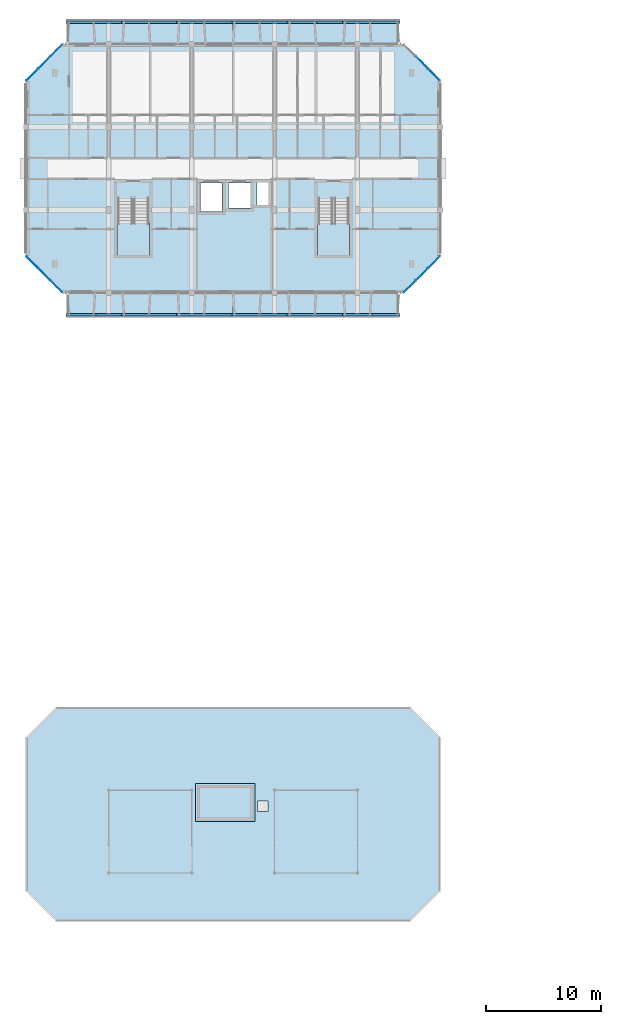
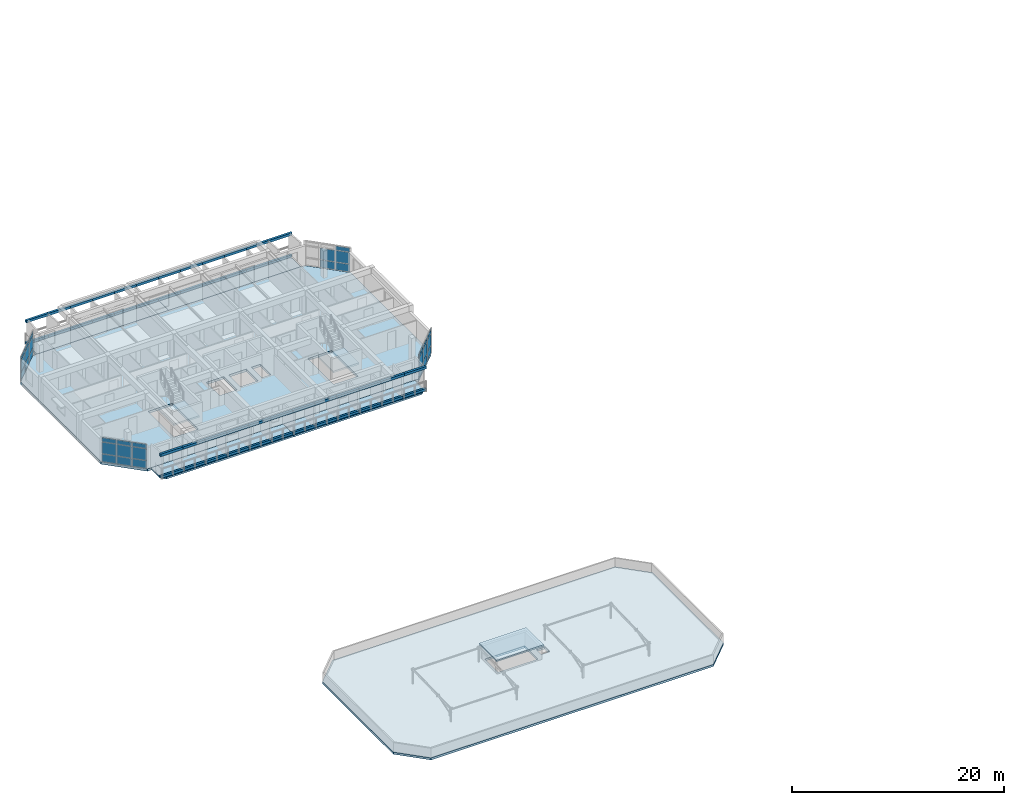
# One storey, part 14 of 43: 80 plates, 9 slabs, 6 elements without a shape of their own.
"""IFC4 building model written with IfcOpenShell, lengths in metres."""

from ifc_helpers import new_model, si_unit, direction, frame, origin, origin_2d, place, context, subcontext, project, spatial, polyline, rectangle, outline, extrude, material, layer, layer_set, type_object, element, aggregate, save


model = new_model("IFC4")

# Units and contexts
model_context = context("Model", 3, precision=1e-05, world=origin(), true_north=direction((0.0, 1.0)))
body_context = subcontext(model_context, "Body", "Model", "MODEL_VIEW")
ifc_project = project(units=[si_unit("LENGTHUNIT", "METRE"), si_unit("AREAUNIT", "SQUARE_METRE"), si_unit("VOLUMEUNIT", "CUBIC_METRE"), si_unit("PLANEANGLEUNIT", "RADIAN"), si_unit("MASSUNIT", "GRAM", prefix="KILO")], contexts=[model_context])

# Site, building, storey
site_placement = place(None, origin())
site = spatial("IfcSite", under=ifc_project, at=site_placement, CompositionType="ELEMENT")
building_placement = place(site_placement, origin())
building = spatial("IfcBuilding", under=site, at=building_placement, Name="Ochrevale Crest", CompositionType="ELEMENT")
storey_placement = place(building_placement, frame((0.0, 0.0, 30.75)))
storey = spatial("IfcBuildingStorey", under=building, at=storey_placement, Name="L09", CompositionType="ELEMENT", Elevation=30.75)

# Curtain wall, plates
ifc_material_1 = material(Name="Anodised aluminium 6063-T5", Category="aluminium")
ifc_layer_1 = layer(ifc_material_1, 0.14990234375)
ifc_layer_set_1 = layer_set([ifc_layer_1], Name="Anodised aluminium 6063-T5")
curtain_wall_type_1 = type_object("IfcCurtainWallType", Name="CW-WG-240x285", PredefinedType="NOTDEFINED", material=ifc_layer_set_1)
curtain_wall_1_placement = place(storey_placement, origin())
curtain_wall_1 = element("IfcCurtainWall", 1, at=curtain_wall_1_placement, inside=storey, type_object=curtain_wall_type_1, Name="Block B L09 chamfered corner wintergarden curtain wall 6", PredefinedType="NOTDEFINED")
ifc_material_2 = material(Name="Double-glazed low-E insulated glass unit", Category="glass")
ifc_layer_2 = layer(ifc_material_2, 0.028076171875)
ifc_layer_set_2 = layer_set([ifc_layer_2], Name="Double-glazed low-E insulated glass unit")
plate_type_1 = type_object("IfcPlateType", Name="CW-PNL-IGU28", PredefinedType="CURTAIN_PANEL", material=ifc_layer_set_2)
plate_1_placement = place(storey_placement, frame((2.6533203125, 93.053466796875, 0.06005859375), z_axis=(0.0, 0.0, 1.0), x_axis=(-0.707106781187, -0.707106781187, 0.0)))
plate_1 = element("IfcPlate", 2, at=plate_1_placement, type_object=plate_type_1, Name="CW15 panel 1.1", PredefinedType="CURTAIN_PANEL", context=body_context, shape_type="SweptSolid", body=[
    extrude(rectangle(XDim=1.39599609375, YDim=0.028076171875, at=origin_2d()), origin(), (0.0, 0.0, 1.0), 0.860107421875),
])
plate_2_placement = place(storey_placement, frame((2.6533203125, 93.053466796875, 0.97998046875), z_axis=(0.0, 0.0, 1.0), x_axis=(-0.707106781187, -0.707106781187, 0.0)))
plate_2 = element("IfcPlate", 3, at=plate_2_placement, type_object=plate_type_1, Name="CW15 panel 1.2", PredefinedType="CURTAIN_PANEL", context=body_context, shape_type="SweptSolid", body=[
    extrude(rectangle(XDim=1.39599609375, YDim=0.028076171875, at=origin_2d()), origin(), (0.0, 0.0, 1.0), 1.31494140625),
])
plate_3_placement = place(storey_placement, frame((2.6533203125, 93.053466796875, 2.35498046875), z_axis=(0.0, 0.0, 1.0), x_axis=(-0.707106781187, -0.707106781187, 0.0)))
plate_3 = element("IfcPlate", 4, at=plate_3_placement, type_object=plate_type_1, Name="CW15 panel 1.3", PredefinedType="CURTAIN_PANEL", context=body_context, shape_type="SweptSolid", body=[
    extrude(rectangle(XDim=1.39599609375, YDim=0.028076171875, at=origin_2d()), origin(), (0.0, 0.0, 1.0), 0.4599609375),
])
plate_4_placement = place(storey_placement, frame((1.60009765625, 92.0, 0.06005859375), z_axis=(0.0, 0.0, 1.0), x_axis=(-0.707106781187, -0.707106781187, 0.0)))
plate_4 = element("IfcPlate", 5, at=plate_4_placement, type_object=plate_type_1, Name="CW15 panel 2.1", PredefinedType="CURTAIN_PANEL", context=body_context, shape_type="SweptSolid", body=[
    extrude(rectangle(XDim=1.43359375, YDim=0.028076171875, at=origin_2d()), origin(), (0.0, 0.0, 1.0), 0.860107421875),
])
plate_5_placement = place(storey_placement, frame((1.60009765625, 92.0, 0.97998046875), z_axis=(0.0, 0.0, 1.0), x_axis=(-0.707106781187, -0.707106781187, 0.0)))
plate_5 = element("IfcPlate", 6, at=plate_5_placement, type_object=plate_type_1, Name="CW15 panel 2.2", PredefinedType="CURTAIN_PANEL", context=body_context, shape_type="SweptSolid", body=[
    extrude(rectangle(XDim=1.43359375, YDim=0.028076171875, at=origin_2d()), origin(), (0.0, 0.0, 1.0), 1.31494140625),
])
plate_6_placement = place(storey_placement, frame((1.60009765625, 92.0, 2.35498046875), z_axis=(0.0, 0.0, 1.0), x_axis=(-0.707106781187, -0.707106781187, 0.0)))
plate_6 = element("IfcPlate", 7, at=plate_6_placement, type_object=plate_type_1, Name="CW15 panel 2.3", PredefinedType="CURTAIN_PANEL", context=body_context, shape_type="SweptSolid", body=[
    extrude(rectangle(XDim=1.43359375, YDim=0.028076171875, at=origin_2d()), origin(), (0.0, 0.0, 1.0), 0.4599609375),
])
plate_7_placement = place(storey_placement, frame((0.546630859375, 90.946533203125, 0.06005859375), z_axis=(0.0, 0.0, 1.0), x_axis=(-0.707106781187, -0.707106781187, 0.0)))
plate_7 = element("IfcPlate", 8, at=plate_7_placement, type_object=plate_type_1, Name="CW15 panel 3.1", PredefinedType="CURTAIN_PANEL", context=body_context, shape_type="SweptSolid", body=[
    extrude(rectangle(XDim=1.39599609375, YDim=0.028076171875, at=origin_2d()), origin(), (0.0, 0.0, 1.0), 0.860107421875),
])
plate_8_placement = place(storey_placement, frame((0.546630859375, 90.946533203125, 0.97998046875), z_axis=(0.0, 0.0, 1.0), x_axis=(-0.707106781187, -0.707106781187, 0.0)))
plate_8 = element("IfcPlate", 9, at=plate_8_placement, type_object=plate_type_1, Name="CW15 panel 3.2", PredefinedType="CURTAIN_PANEL", context=body_context, shape_type="SweptSolid", body=[
    extrude(rectangle(XDim=1.39599609375, YDim=0.028076171875, at=origin_2d()), origin(), (0.0, 0.0, 1.0), 1.31494140625),
])
plate_9_placement = place(storey_placement, frame((0.546630859375, 90.946533203125, 2.35498046875), z_axis=(0.0, 0.0, 1.0), x_axis=(-0.707106781187, -0.707106781187, 0.0)))
plate_9 = element("IfcPlate", 10, at=plate_9_placement, type_object=plate_type_1, Name="CW15 panel 3.3", PredefinedType="CURTAIN_PANEL", context=body_context, shape_type="SweptSolid", body=[
    extrude(rectangle(XDim=1.39599609375, YDim=0.028076171875, at=origin_2d()), origin(), (0.0, 0.0, 1.0), 0.4599609375),
])
aggregate(curtain_wall_1, [plate_1, plate_2, plate_3, plate_4, plate_5, plate_6, plate_7, plate_8, plate_9])

ifc_layer_3 = layer(ifc_material_1, 0.14990234375)
ifc_layer_set_3 = layer_set([ifc_layer_3], Name="Anodised aluminium 6063-T5")
curtain_wall_type_2 = type_object("IfcCurtainWallType", Name="CW-WG-320x285", PredefinedType="NOTDEFINED", material=ifc_layer_set_3)
curtain_wall_2_placement = place(storey_placement, origin())
curtain_wall_2 = element("IfcCurtainWall", 11, at=curtain_wall_2_placement, inside=storey, type_object=curtain_wall_type_2, Name="Block B L09 chamfered corner wintergarden curtain wall 8", PredefinedType="NOTDEFINED")
plate_10_placement = place(storey_placement, frame((0.546630859375, 74.6533203125, 0.06005859375), z_axis=(0.0, 0.0, 1.0), x_axis=(0.707106781187, -0.707106781187, 0.0)))
plate_10 = element("IfcPlate", 12, at=plate_10_placement, type_object=plate_type_1, Name="CW17 panel 1.1", PredefinedType="CURTAIN_PANEL", context=body_context, shape_type="SweptSolid", body=[
    extrude(rectangle(XDim=1.39599609375, YDim=0.028076171875, at=origin_2d()), origin(), (0.0, 0.0, 1.0), 0.860107421875),
])
plate_11_placement = place(storey_placement, frame((0.546630859375, 74.6533203125, 0.97998046875), z_axis=(0.0, 0.0, 1.0), x_axis=(0.707106781187, -0.707106781187, 0.0)))
plate_11 = element("IfcPlate", 13, at=plate_11_placement, type_object=plate_type_1, Name="CW17 panel 1.2", PredefinedType="CURTAIN_PANEL", context=body_context, shape_type="SweptSolid", body=[
    extrude(rectangle(XDim=1.39599609375, YDim=0.028076171875, at=origin_2d()), origin(), (0.0, 0.0, 1.0), 1.31494140625),
])
plate_12_placement = place(storey_placement, frame((0.546630859375, 74.6533203125, 2.35498046875), z_axis=(0.0, 0.0, 1.0), x_axis=(0.707106781187, -0.707106781187, 0.0)))
plate_12 = element("IfcPlate", 14, at=plate_12_placement, type_object=plate_type_1, Name="CW17 panel 1.3", PredefinedType="CURTAIN_PANEL", context=body_context, shape_type="SweptSolid", body=[
    extrude(rectangle(XDim=1.39599609375, YDim=0.028076171875, at=origin_2d()), origin(), (0.0, 0.0, 1.0), 0.4599609375),
])
plate_13_placement = place(storey_placement, frame((1.60009765625, 73.60009765625, 0.06005859375), z_axis=(0.0, 0.0, 1.0), x_axis=(0.707106781187, -0.707106781187, 0.0)))
plate_13 = element("IfcPlate", 15, at=plate_13_placement, type_object=plate_type_1, Name="CW17 panel 2.1", PredefinedType="CURTAIN_PANEL", context=body_context, shape_type="SweptSolid", body=[
    extrude(rectangle(XDim=1.43359375, YDim=0.028076171875, at=origin_2d()), origin(), (0.0, 0.0, 1.0), 0.860107421875),
])
plate_14_placement = place(storey_placement, frame((1.60009765625, 73.60009765625, 0.97998046875), z_axis=(0.0, 0.0, 1.0), x_axis=(0.707106781187, -0.707106781187, 0.0)))
plate_14 = element("IfcPlate", 16, at=plate_14_placement, type_object=plate_type_1, Name="CW17 panel 2.2", PredefinedType="CURTAIN_PANEL", context=body_context, shape_type="SweptSolid", body=[
    extrude(rectangle(XDim=1.43359375, YDim=0.028076171875, at=origin_2d()), origin(), (0.0, 0.0, 1.0), 1.31494140625),
])
plate_15_placement = place(storey_placement, frame((1.60009765625, 73.60009765625, 2.35498046875), z_axis=(0.0, 0.0, 1.0), x_axis=(0.707106781187, -0.707106781187, 0.0)))
plate_15 = element("IfcPlate", 17, at=plate_15_placement, type_object=plate_type_1, Name="CW17 panel 2.3", PredefinedType="CURTAIN_PANEL", context=body_context, shape_type="SweptSolid", body=[
    extrude(rectangle(XDim=1.43359375, YDim=0.028076171875, at=origin_2d()), origin(), (0.0, 0.0, 1.0), 0.4599609375),
])
plate_16_placement = place(storey_placement, frame((2.6533203125, 72.546630859375, 0.06005859375), z_axis=(0.0, 0.0, 1.0), x_axis=(0.707106781187, -0.707106781187, 0.0)))
plate_16 = element("IfcPlate", 18, at=plate_16_placement, type_object=plate_type_1, Name="CW17 panel 3.1", PredefinedType="CURTAIN_PANEL", context=body_context, shape_type="SweptSolid", body=[
    extrude(rectangle(XDim=1.39599609375, YDim=0.028076171875, at=origin_2d()), origin(), (0.0, 0.0, 1.0), 0.860107421875),
])
plate_17_placement = place(storey_placement, frame((2.6533203125, 72.546630859375, 0.97998046875), z_axis=(0.0, 0.0, 1.0), x_axis=(0.707106781187, -0.707106781187, 0.0)))
plate_17 = element("IfcPlate", 19, at=plate_17_placement, type_object=plate_type_1, Name="CW17 panel 3.2", PredefinedType="CURTAIN_PANEL", context=body_context, shape_type="SweptSolid", body=[
    extrude(rectangle(XDim=1.39599609375, YDim=0.028076171875, at=origin_2d()), origin(), (0.0, 0.0, 1.0), 1.31494140625),
])
plate_18_placement = place(storey_placement, frame((2.6533203125, 72.546630859375, 2.35498046875), z_axis=(0.0, 0.0, 1.0), x_axis=(0.707106781187, -0.707106781187, 0.0)))
plate_18 = element("IfcPlate", 20, at=plate_18_placement, type_object=plate_type_1, Name="CW17 panel 3.3", PredefinedType="CURTAIN_PANEL", context=body_context, shape_type="SweptSolid", body=[
    extrude(rectangle(XDim=1.39599609375, YDim=0.028076171875, at=origin_2d()), origin(), (0.0, 0.0, 1.0), 0.4599609375),
])
aggregate(curtain_wall_2, [plate_10, plate_11, plate_12, plate_13, plate_14, plate_15, plate_16, plate_17, plate_18])

ifc_layer_4 = layer(ifc_material_1, 0.14990234375)
ifc_layer_set_4 = layer_set([ifc_layer_4], Name="Anodised aluminium 6063-T5")
curtain_wall_type_3 = type_object("IfcCurtainWallType", Name="CW-WG-280x285", PredefinedType="NOTDEFINED", material=ifc_layer_set_4)
curtain_wall_3_placement = place(storey_placement, origin())
curtain_wall_3 = element("IfcCurtainWall", 21, at=curtain_wall_3_placement, inside=storey, type_object=curtain_wall_type_3, Name="Block B L09 chamfered corner wintergarden curtain wall 2", PredefinedType="NOTDEFINED")
ifc_material_3 = material(Name="Acoustic laminated low-E insulated glass unit", Category="glass")
ifc_layer_5 = layer(ifc_material_3, 0.0380859375)
ifc_layer_set_5 = layer_set([ifc_layer_5], Name="Acoustic laminated low-E insulated glass unit")
plate_type_2 = type_object("IfcPlateType", Name="CW-PNL-IGU38", PredefinedType="CURTAIN_PANEL", material=ifc_layer_set_5)
plate_19_placement = place(storey_placement, frame((33.3466796875, 72.546630859375, 0.06005859375), z_axis=(0.0, 0.0, 1.0), x_axis=(0.707106781187, 0.707106781187, 0.0)))
plate_19 = element("IfcPlate", 22, at=plate_19_placement, type_object=plate_type_2, Name="CW16 panel 1.1", PredefinedType="CURTAIN_PANEL", context=body_context, shape_type="SweptSolid", body=[
    extrude(rectangle(XDim=1.39599609375, YDim=0.0380859375, at=origin_2d()), origin(), (0.0, 0.0, 1.0), 0.860107421875),
])
plate_20_placement = place(storey_placement, frame((33.3466796875, 72.546630859375, 0.97998046875), z_axis=(0.0, 0.0, 1.0), x_axis=(0.707106781187, 0.707106781187, 0.0)))
plate_20 = element("IfcPlate", 23, at=plate_20_placement, type_object=plate_type_2, Name="CW16 panel 1.2", PredefinedType="CURTAIN_PANEL", context=body_context, shape_type="SweptSolid", body=[
    extrude(rectangle(XDim=1.39599609375, YDim=0.0380859375, at=origin_2d()), origin(), (0.0, 0.0, 1.0), 1.31494140625),
])
plate_21_placement = place(storey_placement, frame((33.3466796875, 72.546630859375, 2.35498046875), z_axis=(0.0, 0.0, 1.0), x_axis=(0.707106781187, 0.707106781187, 0.0)))
plate_21 = element("IfcPlate", 24, at=plate_21_placement, type_object=plate_type_2, Name="CW16 panel 1.3", PredefinedType="CURTAIN_PANEL", context=body_context, shape_type="SweptSolid", body=[
    extrude(rectangle(XDim=1.39599609375, YDim=0.0380859375, at=origin_2d()), origin(), (0.0, 0.0, 1.0), 0.4599609375),
])
plate_22_placement = place(storey_placement, frame((34.39990234375, 73.60009765625, 0.06005859375), z_axis=(0.0, 0.0, 1.0), x_axis=(0.707106781187, 0.707106781187, 0.0)))
plate_22 = element("IfcPlate", 25, at=plate_22_placement, type_object=plate_type_2, Name="CW16 panel 2.1", PredefinedType="CURTAIN_PANEL", context=body_context, shape_type="SweptSolid", body=[
    extrude(rectangle(XDim=1.43359375, YDim=0.0380859375, at=origin_2d()), origin(), (0.0, 0.0, 1.0), 0.860107421875),
])
plate_23_placement = place(storey_placement, frame((34.39990234375, 73.60009765625, 0.97998046875), z_axis=(0.0, 0.0, 1.0), x_axis=(0.707106781187, 0.707106781187, 0.0)))
plate_23 = element("IfcPlate", 26, at=plate_23_placement, type_object=plate_type_2, Name="CW16 panel 2.2", PredefinedType="CURTAIN_PANEL", context=body_context, shape_type="SweptSolid", body=[
    extrude(rectangle(XDim=1.43359375, YDim=0.0380859375, at=origin_2d()), origin(), (0.0, 0.0, 1.0), 1.31494140625),
])
plate_24_placement = place(storey_placement, frame((34.39990234375, 73.60009765625, 2.35498046875), z_axis=(0.0, 0.0, 1.0), x_axis=(0.707106781187, 0.707106781187, 0.0)))
plate_24 = element("IfcPlate", 27, at=plate_24_placement, type_object=plate_type_2, Name="CW16 panel 2.3", PredefinedType="CURTAIN_PANEL", context=body_context, shape_type="SweptSolid", body=[
    extrude(rectangle(XDim=1.43359375, YDim=0.0380859375, at=origin_2d()), origin(), (0.0, 0.0, 1.0), 0.4599609375),
])
plate_25_placement = place(storey_placement, frame((35.453369140625, 74.6533203125, 0.06005859375), z_axis=(0.0, 0.0, 1.0), x_axis=(0.707106781187, 0.707106781187, 0.0)))
plate_25 = element("IfcPlate", 28, at=plate_25_placement, type_object=plate_type_2, Name="CW16 panel 3.1", PredefinedType="CURTAIN_PANEL", context=body_context, shape_type="SweptSolid", body=[
    extrude(rectangle(XDim=1.39599609375, YDim=0.0380859375, at=origin_2d()), origin(), (0.0, 0.0, 1.0), 0.860107421875),
])
plate_26_placement = place(storey_placement, frame((35.453369140625, 74.6533203125, 0.97998046875), z_axis=(0.0, 0.0, 1.0), x_axis=(0.707106781187, 0.707106781187, 0.0)))
plate_26 = element("IfcPlate", 29, at=plate_26_placement, type_object=plate_type_2, Name="CW16 panel 3.2", PredefinedType="CURTAIN_PANEL", context=body_context, shape_type="SweptSolid", body=[
    extrude(rectangle(XDim=1.39599609375, YDim=0.0380859375, at=origin_2d()), origin(), (0.0, 0.0, 1.0), 1.31494140625),
])
plate_27_placement = place(storey_placement, frame((35.453369140625, 74.6533203125, 2.35498046875), z_axis=(0.0, 0.0, 1.0), x_axis=(0.707106781187, 0.707106781187, 0.0)))
plate_27 = element("IfcPlate", 30, at=plate_27_placement, type_object=plate_type_2, Name="CW16 panel 3.3", PredefinedType="CURTAIN_PANEL", context=body_context, shape_type="SweptSolid", body=[
    extrude(rectangle(XDim=1.39599609375, YDim=0.0380859375, at=origin_2d()), origin(), (0.0, 0.0, 1.0), 0.4599609375),
])
aggregate(curtain_wall_3, [plate_19, plate_20, plate_21, plate_22, plate_23, plate_24, plate_25, plate_26, plate_27])

ifc_layer_6 = layer(ifc_material_1, 0.14990234375)
ifc_layer_set_6 = layer_set([ifc_layer_6], Name="Anodised aluminium 6063-T5")
curtain_wall_type_4 = type_object("IfcCurtainWallType", Name="CW-WG-360x285", PredefinedType="NOTDEFINED", material=ifc_layer_set_6)
curtain_wall_4_placement = place(storey_placement, origin())
curtain_wall_4 = element("IfcCurtainWall", 31, at=curtain_wall_4_placement, inside=storey, type_object=curtain_wall_type_4, Name="Block B L09 chamfered corner wintergarden curtain wall 4", PredefinedType="NOTDEFINED")
plate_28_placement = place(storey_placement, frame((35.453369140625, 90.946533203125, 0.06005859375), z_axis=(0.0, 0.0, 1.0), x_axis=(-0.707106781187, 0.707106781187, 0.0)))
plate_28 = element("IfcPlate", 32, at=plate_28_placement, type_object=plate_type_2, Name="CW18 panel 1.1", PredefinedType="CURTAIN_PANEL", context=body_context, shape_type="SweptSolid", body=[
    extrude(rectangle(XDim=1.39599609375, YDim=0.0380859375, at=origin_2d()), origin(), (0.0, 0.0, 1.0), 0.860107421875),
])
plate_29_placement = place(storey_placement, frame((35.453369140625, 90.946533203125, 0.97998046875), z_axis=(0.0, 0.0, 1.0), x_axis=(-0.707106781187, 0.707106781187, 0.0)))
plate_29 = element("IfcPlate", 33, at=plate_29_placement, type_object=plate_type_2, Name="CW18 panel 1.2", PredefinedType="CURTAIN_PANEL", context=body_context, shape_type="SweptSolid", body=[
    extrude(rectangle(XDim=1.39599609375, YDim=0.0380859375, at=origin_2d()), origin(), (0.0, 0.0, 1.0), 1.31494140625),
])
plate_30_placement = place(storey_placement, frame((35.453369140625, 90.946533203125, 2.35498046875), z_axis=(0.0, 0.0, 1.0), x_axis=(-0.707106781187, 0.707106781187, 0.0)))
plate_30 = element("IfcPlate", 34, at=plate_30_placement, type_object=plate_type_2, Name="CW18 panel 1.3", PredefinedType="CURTAIN_PANEL", context=body_context, shape_type="SweptSolid", body=[
    extrude(rectangle(XDim=1.39599609375, YDim=0.0380859375, at=origin_2d()), origin(), (0.0, 0.0, 1.0), 0.4599609375),
])
plate_31_placement = place(storey_placement, frame((34.39990234375, 92.0, 0.06005859375), z_axis=(0.0, 0.0, 1.0), x_axis=(-0.707106781187, 0.707106781187, 0.0)))
plate_31 = element("IfcPlate", 35, at=plate_31_placement, type_object=plate_type_2, Name="CW18 panel 2.1", PredefinedType="CURTAIN_PANEL", context=body_context, shape_type="SweptSolid", body=[
    extrude(rectangle(XDim=1.43359375, YDim=0.0380859375, at=origin_2d()), origin(), (0.0, 0.0, 1.0), 0.860107421875),
])
plate_32_placement = place(storey_placement, frame((34.39990234375, 92.0, 0.97998046875), z_axis=(0.0, 0.0, 1.0), x_axis=(-0.707106781187, 0.707106781187, 0.0)))
plate_32 = element("IfcPlate", 36, at=plate_32_placement, type_object=plate_type_2, Name="CW18 panel 2.2", PredefinedType="CURTAIN_PANEL", context=body_context, shape_type="SweptSolid", body=[
    extrude(rectangle(XDim=1.43359375, YDim=0.0380859375, at=origin_2d()), origin(), (0.0, 0.0, 1.0), 1.31494140625),
])
aggregate(curtain_wall_4, [plate_28, plate_29, plate_30, plate_31, plate_32])

# Plates
ifc_material_4 = material(Name="Precast concrete C40/50", Category="concrete")
ifc_layer_7 = layer(ifc_material_4, 0.06005859375)
ifc_layer_set_7 = layer_set([ifc_layer_7], Name="Precast concrete C40/50")
plate_type_3 = type_object("IfcPlateType", Name="PLT-HC-HEAD-60", PredefinedType="USERDEFINED", material=ifc_layer_set_7)
for number, where, z_axis, x_axis, name in (
    (37, (4.800048828125, 70.10009765625, 2.52001953125), (0.0, 0.0, 1.0), (1.0, 0.0, 0.0), "Block B L09 S honeycomb arched lintel fascia 1"),
    (38, (7.199951171875, 70.10009765625, 2.52001953125), (0.0, 0.0, 1.0), (1.0, 0.0, 0.0), "Block B L09 S honeycomb arched lintel fascia 2"),
    (39, (9.60009765625, 70.10009765625, 2.52001953125), (0.0, 0.0, 1.0), (1.0, 0.0, 0.0), "Block B L09 S honeycomb arched lintel fascia 3"),
    (40, (12.0, 70.10009765625, 2.52001953125), (0.0, 0.0, 1.0), (1.0, 0.0, 0.0), "Block B L09 S honeycomb arched lintel fascia 4"),
    (41, (14.39990234375, 70.10009765625, 2.52001953125), (0.0, 0.0, 1.0), (1.0, 0.0, 0.0), "Block B L09 S honeycomb arched lintel fascia 5"),
    (42, (16.800048828125, 70.10009765625, 2.52001953125), (0.0, 0.0, 1.0), (1.0, 0.0, 0.0), "Block B L09 S honeycomb arched lintel fascia 6"),
    (43, (19.199951171875, 70.10009765625, 2.52001953125), (0.0, 0.0, 1.0), (1.0, 0.0, 0.0), "Block B L09 S honeycomb arched lintel fascia 7"),
    (44, (21.60009765625, 70.10009765625, 2.52001953125), (0.0, 0.0, 1.0), (1.0, 0.0, 0.0), "Block B L09 S honeycomb arched lintel fascia 8"),
    (45, (24.0, 70.10009765625, 2.52001953125), (0.0, 0.0, 1.0), (1.0, 0.0, 0.0), "Block B L09 S honeycomb arched lintel fascia 9"),
    (46, (26.39990234375, 70.10009765625, 2.52001953125), (0.0, 0.0, 1.0), (1.0, 0.0, 0.0), "Block B L09 S honeycomb arched lintel fascia 10"),
    (47, (28.800048828125, 70.10009765625, 2.52001953125), (0.0, 0.0, 1.0), (1.0, 0.0, 0.0), "Block B L09 S honeycomb arched lintel fascia 11"),
    (48, (31.199951171875, 70.10009765625, 2.52001953125), (0.0, 0.0, 1.0), (1.0, 0.0, 0.0), "Block B L09 S honeycomb arched lintel fascia 12"),
    (49, (4.800048828125, 95.5, 2.52001953125), (0.0, 0.0, 1.0), (1.0, 0.0, 0.0), "Block B L09 N honeycomb arched lintel fascia 1"),
    (50, (7.199951171875, 95.5, 2.52001953125), (0.0, 0.0, 1.0), (1.0, 0.0, 0.0), "Block B L09 N honeycomb arched lintel fascia 2"),
    (51, (9.60009765625, 95.5, 2.52001953125), (0.0, 0.0, 1.0), (1.0, 0.0, 0.0), "Block B L09 N honeycomb arched lintel fascia 3"),
    (52, (12.0, 95.5, 2.52001953125), (0.0, 0.0, 1.0), (1.0, 0.0, 0.0), "Block B L09 N honeycomb arched lintel fascia 4"),
    (53, (14.39990234375, 95.5, 2.52001953125), (0.0, 0.0, 1.0), (1.0, 0.0, 0.0), "Block B L09 N honeycomb arched lintel fascia 5"),
    (54, (16.800048828125, 95.5, 2.52001953125), (0.0, 0.0, 1.0), (1.0, 0.0, 0.0), "Block B L09 N honeycomb arched lintel fascia 6"),
    (55, (19.199951171875, 95.5, 2.52001953125), (0.0, 0.0, 1.0), (1.0, 0.0, 0.0), "Block B L09 N honeycomb arched lintel fascia 7"),
    (56, (21.60009765625, 95.5, 2.52001953125), (0.0, 0.0, 1.0), (1.0, 0.0, 0.0), "Block B L09 N honeycomb arched lintel fascia 8"),
    (57, (24.0, 95.5, 2.52001953125), (0.0, 0.0, 1.0), (1.0, 0.0, 0.0), "Block B L09 N honeycomb arched lintel fascia 9"),
    (58, (26.39990234375, 95.5, 2.52001953125), (0.0, 0.0, 1.0), (1.0, 0.0, 0.0), "Block B L09 N honeycomb arched lintel fascia 10"),
    (59, (28.800048828125, 95.5, 2.52001953125), (0.0, 0.0, 1.0), (1.0, 0.0, 0.0), "Block B L09 N honeycomb arched lintel fascia 11"),
    (60, (31.199951171875, 95.5, 2.52001953125), (0.0, 0.0, 1.0), (1.0, 0.0, 0.0), "Block B L09 N honeycomb arched lintel fascia 12"),
):
    element("IfcPlate", number, at=place(storey_placement, frame(where, z_axis=z_axis, x_axis=x_axis)), inside=storey, type_object=plate_type_3, Name=name, ObjectType="FACADE FASCIA PLATE", PredefinedType="USERDEFINED", context=body_context, shape_type="SweptSolid", body=[
        extrude(rectangle(XDim=2.60009765625, YDim=0.239990234375, at=origin_2d()), origin(), (0.0, 0.0, 1.0), 0.280029296875),
    ])
ifc_layer_8 = layer(ifc_material_4, 0.044921875)
ifc_layer_set_8 = layer_set([ifc_layer_8], Name="Precast concrete C40/50")
plate_type_4 = type_object("IfcPlateType", Name="PLT-HC-SILL-45", PredefinedType="USERDEFINED", material=ifc_layer_set_8)
for number, where, z_axis, x_axis, name in (
    (61, (4.800048828125, 70.10009765625, 0.0), (0.0, 0.0, 1.0), (1.0, 0.0, 0.0), "Block B L09 S honeycomb sill coping plate 1"),
    (62, (7.199951171875, 70.10009765625, 0.0), (0.0, 0.0, 1.0), (1.0, 0.0, 0.0), "Block B L09 S honeycomb sill coping plate 2"),
    (63, (9.60009765625, 70.10009765625, 0.0), (0.0, 0.0, 1.0), (1.0, 0.0, 0.0), "Block B L09 S honeycomb sill coping plate 3"),
    (64, (12.0, 70.10009765625, 0.0), (0.0, 0.0, 1.0), (1.0, 0.0, 0.0), "Block B L09 S honeycomb sill coping plate 4"),
    (65, (14.39990234375, 70.10009765625, 0.0), (0.0, 0.0, 1.0), (1.0, 0.0, 0.0), "Block B L09 S honeycomb sill coping plate 5"),
    (66, (16.800048828125, 70.10009765625, 0.0), (0.0, 0.0, 1.0), (1.0, 0.0, 0.0), "Block B L09 S honeycomb sill coping plate 6"),
    (67, (19.199951171875, 70.10009765625, 0.0), (0.0, 0.0, 1.0), (1.0, 0.0, 0.0), "Block B L09 S honeycomb sill coping plate 7"),
    (68, (21.60009765625, 70.10009765625, 0.0), (0.0, 0.0, 1.0), (1.0, 0.0, 0.0), "Block B L09 S honeycomb sill coping plate 8"),
    (69, (24.0, 70.10009765625, 0.0), (0.0, 0.0, 1.0), (1.0, 0.0, 0.0), "Block B L09 S honeycomb sill coping plate 9"),
    (70, (26.39990234375, 70.10009765625, 0.0), (0.0, 0.0, 1.0), (1.0, 0.0, 0.0), "Block B L09 S honeycomb sill coping plate 10"),
    (71, (28.800048828125, 70.10009765625, 0.0), (0.0, 0.0, 1.0), (1.0, 0.0, 0.0), "Block B L09 S honeycomb sill coping plate 11"),
    (72, (31.199951171875, 70.10009765625, 0.0), (0.0, 0.0, 1.0), (1.0, 0.0, 0.0), "Block B L09 S honeycomb sill coping plate 12"),
    (73, (4.800048828125, 95.5, 0.0), (0.0, 0.0, 1.0), (1.0, 0.0, 0.0), "Block B L09 N honeycomb sill coping plate 1"),
    (74, (7.199951171875, 95.5, 0.0), (0.0, 0.0, 1.0), (1.0, 0.0, 0.0), "Block B L09 N honeycomb sill coping plate 2"),
    (75, (9.60009765625, 95.5, 0.0), (0.0, 0.0, 1.0), (1.0, 0.0, 0.0), "Block B L09 N honeycomb sill coping plate 3"),
    (76, (12.0, 95.5, 0.0), (0.0, 0.0, 1.0), (1.0, 0.0, 0.0), "Block B L09 N honeycomb sill coping plate 4"),
    (77, (14.39990234375, 95.5, 0.0), (0.0, 0.0, 1.0), (1.0, 0.0, 0.0), "Block B L09 N honeycomb sill coping plate 5"),
    (78, (16.800048828125, 95.5, 0.0), (0.0, 0.0, 1.0), (1.0, 0.0, 0.0), "Block B L09 N honeycomb sill coping plate 6"),
    (79, (19.199951171875, 95.5, 0.0), (0.0, 0.0, 1.0), (1.0, 0.0, 0.0), "Block B L09 N honeycomb sill coping plate 7"),
    (80, (21.60009765625, 95.5, 0.0), (0.0, 0.0, 1.0), (1.0, 0.0, 0.0), "Block B L09 N honeycomb sill coping plate 8"),
    (81, (24.0, 95.5, 0.0), (0.0, 0.0, 1.0), (1.0, 0.0, 0.0), "Block B L09 N honeycomb sill coping plate 9"),
    (82, (26.39990234375, 95.5, 0.0), (0.0, 0.0, 1.0), (1.0, 0.0, 0.0), "Block B L09 N honeycomb sill coping plate 10"),
    (83, (28.800048828125, 95.5, 0.0), (0.0, 0.0, 1.0), (1.0, 0.0, 0.0), "Block B L09 N honeycomb sill coping plate 11"),
    (84, (31.199951171875, 95.5, 0.0), (0.0, 0.0, 1.0), (1.0, 0.0, 0.0), "Block B L09 N honeycomb sill coping plate 12"),
):
    element("IfcPlate", number, at=place(storey_placement, frame(where, z_axis=z_axis, x_axis=x_axis)), inside=storey, type_object=plate_type_4, Name=name, ObjectType="SILL COPING PLATE", PredefinedType="USERDEFINED", context=body_context, shape_type="SweptSolid", body=[
        extrude(rectangle(XDim=2.60009765625, YDim=0.219970703125, at=origin_2d()), origin(), (0.0, 0.0, 1.0), 0.260009765625),
    ])

# Slabs
ifc_layer_9 = layer(ifc_material_4, 0.199951171875)
ifc_layer_set_9 = layer_set([ifc_layer_9], Name="Precast concrete C40/50")
slab_type_1 = type_object("IfcSlabType", Name="SLB-BAL-200", PredefinedType="FLOOR", material=ifc_layer_set_9)
slab_1_placement = place(storey_placement, frame((0.0, 0.0, -0.199951171875)))
element("IfcSlab", 85, at=slab_1_placement, inside=storey, type_object=slab_type_1, Name="Block B L09 S1 precast loggia balcony slab", PredefinedType="FLOOR", context=body_context, shape_type="SweptSolid", body=[
    extrude(outline(polyline([(4.050048828125, 69.89990234375), (18.0, 69.89990234375), (18.0, 72.0), (3.60009765625, 72.0), (3.60009765625, 70.35009765625), (4.050048828125, 69.89990234375)])), origin(), (0.0, 0.0, 1.0), 0.199951171875),
])
slab_2_placement = place(storey_placement, frame((0.0, 0.0, -0.199951171875)))
element("IfcSlab", 86, at=slab_2_placement, inside=storey, type_object=slab_type_1, Name="Block B L09 S2 precast loggia balcony slab", PredefinedType="FLOOR", context=body_context, shape_type="SweptSolid", body=[
    extrude(outline(polyline([(18.0, 69.89990234375), (31.949951171875, 69.89990234375), (32.39990234375, 70.35009765625), (32.39990234375, 72.0), (18.0, 72.0), (18.0, 69.89990234375)])), origin(), (0.0, 0.0, 1.0), 0.199951171875),
])
slab_3_placement = place(storey_placement, frame((0.0, 0.0, -0.199951171875)))
element("IfcSlab", 87, at=slab_3_placement, inside=storey, type_object=slab_type_1, Name="Block B L09 N1 precast loggia balcony slab", PredefinedType="FLOOR", context=body_context, shape_type="SweptSolid", body=[
    extrude(outline(polyline([(3.60009765625, 93.60009765625), (18.0, 93.60009765625), (18.0, 95.699951171875), (4.050048828125, 95.699951171875), (3.60009765625, 95.25), (3.60009765625, 93.60009765625)])), origin(), (0.0, 0.0, 1.0), 0.199951171875),
])
slab_4_placement = place(storey_placement, frame((0.0, 0.0, -0.199951171875)))
element("IfcSlab", 88, at=slab_4_placement, inside=storey, type_object=slab_type_1, Name="Block B L09 N2 precast loggia balcony slab", PredefinedType="FLOOR", context=body_context, shape_type="SweptSolid", body=[
    extrude(outline(polyline([(18.0, 93.60009765625), (32.39990234375, 93.60009765625), (32.39990234375, 95.25), (31.949951171875, 95.699951171875), (18.0, 95.699951171875), (18.0, 93.60009765625)])), origin(), (0.0, 0.0, 1.0), 0.199951171875),
])
ifc_layer_10 = layer(ifc_material_4, 0.27490234375)
ifc_layer_set_10 = layer_set([ifc_layer_10], Name="Precast concrete C40/50")
slab_type_2 = type_object("IfcSlabType", Name="SLB-RES-275", PredefinedType="FLOOR", material=ifc_layer_set_10)
slab_5_placement = place(storey_placement, frame((0.0, 0.0, -0.27490234375)))
element("IfcSlab", 89, at=slab_5_placement, inside=storey, type_object=slab_type_2, Name="Block B L09 composite hollowcore floor slab", PredefinedType="FLOOR", context=body_context, shape_type="SweptSolid", body=[
    extrude(outline(polyline([(3.199951171875, 72.0), (32.800048828125, 72.0), (36.0, 75.199951171875), (36.0, 90.39990234375), (32.800048828125, 93.60009765625), (3.199951171875, 93.60009765625), (0.0, 90.39990234375), (0.0, 75.199951171875), (3.199951171875, 72.0)]), holes=[polyline([(8.0, 80.175048828125), (8.0, 75.27490234375), (10.64990234375, 75.27490234375), (10.64990234375, 80.175048828125), (8.0, 80.175048828125)]), polyline([(25.39990234375, 80.175048828125), (25.39990234375, 75.27490234375), (28.050048828125, 75.27490234375), (28.050048828125, 80.175048828125), (25.39990234375, 80.175048828125)]), polyline([(15.14990234375, 79.050048828125), (17.050048828125, 79.050048828125), (17.050048828125, 81.550048828125), (15.14990234375, 81.550048828125), (15.14990234375, 79.050048828125)]), polyline([(17.60009765625, 79.35009765625), (19.5, 79.35009765625), (19.5, 81.550048828125), (17.60009765625, 81.550048828125), (17.60009765625, 79.35009765625)]), polyline([(20.070068359375, 79.6201171875), (21.080078125, 79.6201171875), (21.080078125, 81.580078125), (20.070068359375, 81.580078125), (20.070068359375, 79.6201171875)])]), origin(), (0.0, 0.0, 1.0), 0.27490234375),
])
ifc_layer_11 = layer(ifc_material_4, 0.239990234375)
ifc_layer_set_11 = layer_set([ifc_layer_11], Name="Precast concrete C40/50")
slab_type_3 = type_object("IfcSlabType", Name="SLB-ROOF-240", PredefinedType="ROOF", material=ifc_layer_set_11)
slab_6_placement = place(storey_placement, frame((0.0, 0.0, -0.239990234375)))
element("IfcSlab", 90, at=slab_6_placement, inside=storey, type_object=slab_type_3, Name="Block A L09 main insulated precast roof slab", PredefinedType="ROOF", context=body_context, shape_type="SweptSolid", body=[
    extrude(outline(polyline([(2.60009765625, 17.39990234375), (33.39990234375, 17.39990234375), (36.0, 20.0), (36.0, 33.39990234375), (33.39990234375, 36.0), (2.60009765625, 36.0), (0.0, 33.39990234375), (0.0, 20.0), (2.60009765625, 17.39990234375)]), holes=[polyline([(15.14990234375, 26.449951171875), (19.5, 26.449951171875), (19.5, 28.949951171875), (15.14990234375, 28.949951171875), (15.14990234375, 26.449951171875)]), polyline([(20.125, 26.949951171875), (21.02490234375, 26.949951171875), (21.02490234375, 27.85009765625), (20.125, 27.85009765625), (20.125, 26.949951171875)])]), origin(), (0.0, 0.0, 1.0), 0.239990234375),
])
ifc_material_5 = material(Name="Concrete C40/50", Category="concrete")
ifc_layer_12 = layer(ifc_material_5, 0.179931640625)
ifc_layer_set_12 = layer_set([ifc_layer_12], Name="Concrete C40/50")
slab_type_4 = type_object("IfcSlabType", Name="SLB-ROOF-OVR-180", PredefinedType="ROOF", material=ifc_layer_set_12)
slab_7_placement = place(storey_placement, frame((0.0, 0.0, 1.570068359375)))
element("IfcSlab", 91, at=slab_7_placement, inside=storey, type_object=slab_type_4, Name="Block A lift overrun roof slab", PredefinedType="ROOF", context=body_context, shape_type="SweptSolid", body=[
    extrude(outline(polyline([(14.75, 26.050048828125), (19.89990234375, 26.050048828125), (19.89990234375, 29.35009765625), (14.75, 29.35009765625), (14.75, 26.050048828125)])), origin(), (0.0, 0.0, 1.0), 0.179931640625),
])

# Stair, slab
stair_type = type_object("IfcStairType", Name="ST-CORE-DOG", PredefinedType="HALF_TURN_STAIR", material=ifc_material_4)
stair_1_placement = place(storey_placement, origin())
stair_1 = element("IfcStair", 92, at=stair_1_placement, inside=storey, type_object=stair_type, Name="L09 Block B Fire Stair 1", PredefinedType="HALF_TURN_STAIR")
ifc_layer_13 = layer(ifc_material_4, 0.199951171875)
ifc_layer_set_13 = layer_set([ifc_layer_13], Name="Precast concrete C40/50")
slab_type_5 = type_object("IfcSlabType", Name="SLB-ST-LAND", PredefinedType="LANDING", material=ifc_layer_set_13)
slab_8_placement = place(storey_placement, frame((0.0, 0.0, 1.375)))
slab_8 = element("IfcSlab", 93, at=slab_8_placement, type_object=slab_type_5, Name="ST-B1 landing 1", PredefinedType="LANDING", context=body_context, shape_type="SweptSolid", body=[
    extrude(outline(polyline([(7.919921875, 78.06494140625), (7.919921875, 75.195068359375), (10.72998046875, 75.195068359375), (10.72998046875, 78.06494140625), (7.919921875, 78.06494140625)])), origin(), (0.0, 0.0, 1.0), 0.199951171875),
])
aggregate(stair_1, [slab_8])

stair_2_placement = place(storey_placement, origin())
stair_2 = element("IfcStair", 94, at=stair_2_placement, inside=storey, type_object=stair_type, Name="L09 Block B Fire Stair 2", PredefinedType="HALF_TURN_STAIR")
slab_9_placement = place(storey_placement, frame((0.0, 0.0, 1.375)))
slab_9 = element("IfcSlab", 95, at=slab_9_placement, type_object=slab_type_5, Name="ST-B2 landing 1", PredefinedType="LANDING", context=body_context, shape_type="SweptSolid", body=[
    extrude(outline(polyline([(25.320068359375, 78.06494140625), (25.320068359375, 75.195068359375), (28.1298828125, 75.195068359375), (28.1298828125, 78.06494140625), (25.320068359375, 78.06494140625)])), origin(), (0.0, 0.0, 1.0), 0.199951171875),
])
aggregate(stair_2, [slab_9])

save(model, "model.ifc")
